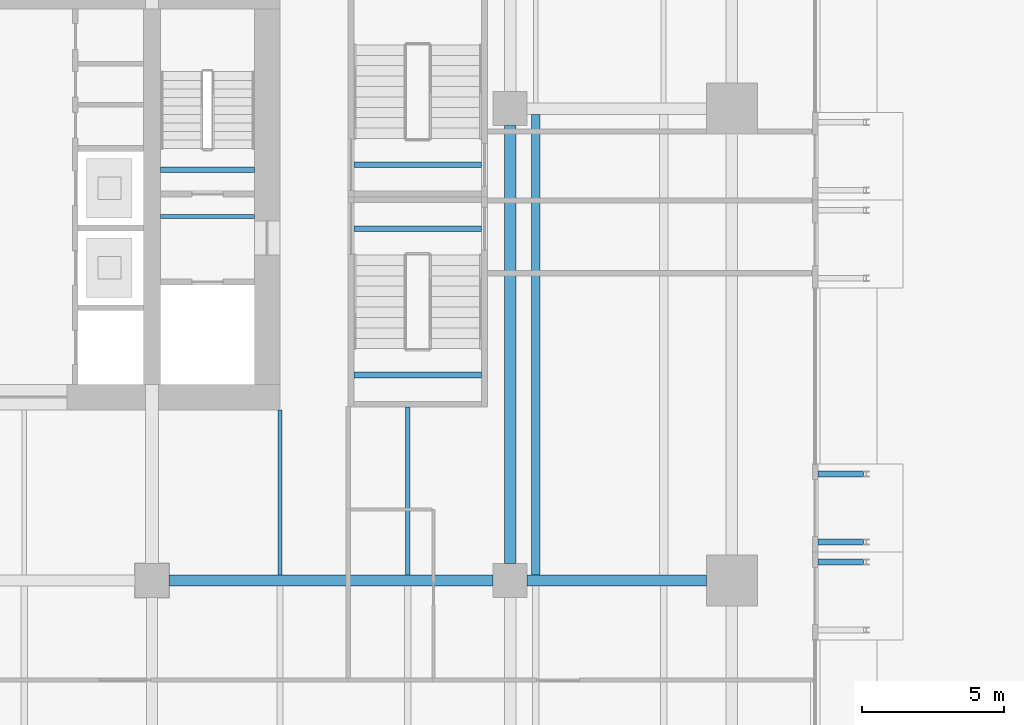
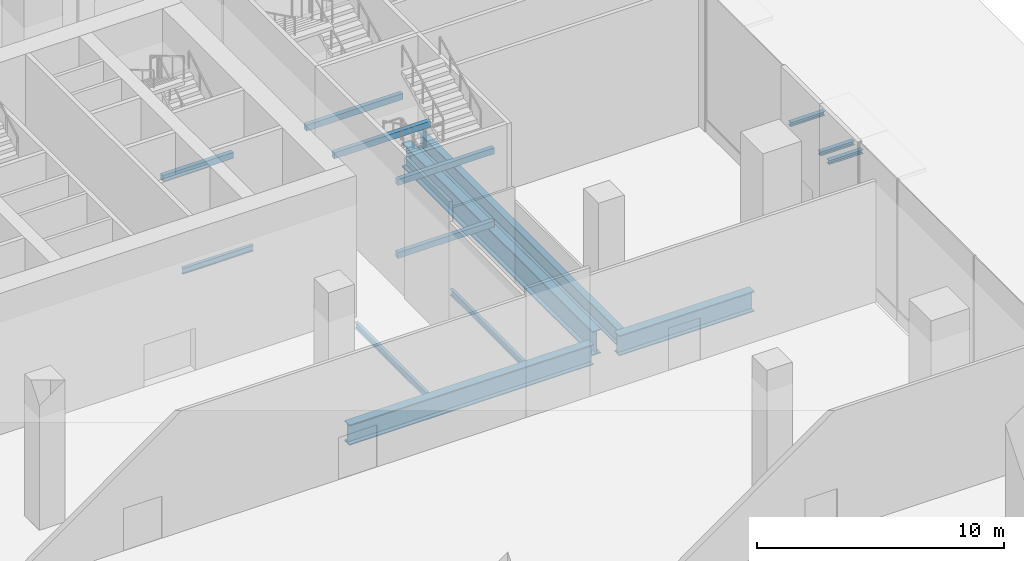
# One storey, part 20 of 41: 15 beams.
"""IFC4 building model written with IfcOpenShell, lengths in metres."""

from ifc_helpers import new_model, si_unit, direction, frame, origin, origin_2d, place, context, subcontext, project, spatial, rectangle, i_section, extrude, material, material_profile, profile_set, type_object, element, save


model = new_model("IFC4")

# Units and contexts
model_context = context("Model", 3, precision=1e-05, world=origin(), true_north=direction((0.0, 1.0)))
body_context = subcontext(model_context, "Body", "Model", "MODEL_VIEW")
ifc_project = project(units=[si_unit("LENGTHUNIT", "METRE"), si_unit("AREAUNIT", "SQUARE_METRE"), si_unit("VOLUMEUNIT", "CUBIC_METRE"), si_unit("PLANEANGLEUNIT", "RADIAN"), si_unit("MASSUNIT", "GRAM", prefix="KILO")], contexts=[model_context])

# Site, building, storey
site_placement = place(None, origin())
site = spatial("IfcSite", under=ifc_project, at=site_placement, CompositionType="ELEMENT")
building_placement = place(site_placement, origin())
building = spatial("IfcBuilding", under=site, at=building_placement, Name="Rattan Terrace Tower", CompositionType="ELEMENT")
storey_placement = place(building_placement, origin())
storey = spatial("IfcBuildingStorey", under=building, at=storey_placement, Name="L00", CompositionType="ELEMENT", Elevation=0.0)

# Beams
ifc_material_1 = material(Name="Structural steel S355", Category="steel")
ifc_material_profile_1 = material_profile(ifc_material_1, i_section(OverallWidth=0.199951171875, OverallDepth=0.199951171875, WebThickness=0.009033203125, FlangeThickness=0.014892578125, FilletRadius=0.01806640625, at=origin_2d()), Name="HE 200 B")
ifc_profile_set_1 = profile_set([ifc_material_profile_1], Name="Structural steel S355")
beam_type_1 = type_object("IfcBeamType", Name="Canopy beam HE 200 B", PredefinedType="BEAM", material=ifc_profile_set_1)
for number, where, z_axis, x_axis, name in (
    (1, (36.929931640625, -12.847900390625, 4.300048828125), (1.0, 0.0, 0.0), (0.0, 1.0, 0.0), "Canopy beam 001b"),
    (2, (36.929931640625, -12.14794921875, 4.300048828125), (1.0, 0.0, 0.0), (0.0, 1.0, 0.0), "Canopy beam 006a"),
    (3, (36.929931640625, -9.75390625, 4.300048828125), (1.0, 0.0, 0.0), (0.0, 1.0, 0.0), "Canopy beam 006b"),
):
    element("IfcBeam", number, at=place(storey_placement, frame(where, z_axis=z_axis, x_axis=x_axis)), inside=storey, type_object=beam_type_1, Name=name, PredefinedType="BEAM", context=body_context, shape_type="SweptSolid", body=[
        extrude(i_section(OverallWidth=0.199951171875, OverallDepth=0.199951171875, WebThickness=0.009033203125, FlangeThickness=0.014892578125, FilletRadius=0.01806640625, at=origin_2d()), origin(), (0.0, 0.0, 1.0), 1.60009765625),
    ])
ifc_material_2 = material(Name="Concrete C40/50", Category="concrete")
ifc_material_profile_2 = material_profile(ifc_material_2, rectangle(XDim=0.199951171875, YDim=0.300048828125, at=origin_2d()), Name="RC 200x300")
ifc_profile_set_2 = profile_set([ifc_material_profile_2], Name="Concrete C40/50")
beam_type_2 = type_object("IfcBeamType", Name="Core landing beam RC 200x300", PredefinedType="BEAM", material=ifc_profile_set_2)
beam_1_placement = place(storey_placement, frame((13.800048828125, 0.949951171875, 3.25), z_axis=(1.0, 0.0, 0.0), x_axis=(0.0, 1.0, 0.0)))
element("IfcBeam", 4, at=beam_1_placement, inside=storey, type_object=beam_type_2, Name="st-S2-L00 landing 2 edge beam", PredefinedType="BEAM", context=body_context, shape_type="SweptSolid", body=[
    extrude(rectangle(XDim=0.199951171875, YDim=0.300048828125, at=origin_2d()), origin(), (0.0, 0.0, 1.0), 3.300048828125),
])
for number, where, z_axis, x_axis, name in (
    (5, (20.60009765625, -6.27197265625, 1.449951171875), (1.0, 0.0, 0.0), (0.0, 1.0, 0.0), "st-S6-L00 landing 1 edge beam"),
    (6, (20.60009765625, -1.125, 3.25), (1.0, 0.0, 0.0), (0.0, 1.0, 0.0), "st-S6-L00 landing 2 edge beam"),
    (7, (20.60009765625, -6.27197265625, 5.050048828125), (1.0, 0.0, 0.0), (0.0, 1.0, 0.0), "st-S6-L00 landing 3 edge beam"),
    (8, (20.60009765625, 1.125, 3.25), (1.0, 0.0, 0.0), (0.0, 1.0, 0.0), "st-S7-L00 landing 2 edge beam"),
):
    element("IfcBeam", number, at=place(storey_placement, frame(where, z_axis=z_axis, x_axis=x_axis)), inside=storey, type_object=beam_type_2, Name=name, PredefinedType="BEAM", context=body_context, shape_type="SweptSolid", body=[
        extrude(rectangle(XDim=0.199951171875, YDim=0.300048828125, at=origin_2d()), origin(), (0.0, 0.0, 1.0), 4.5),
    ])
ifc_material_3 = material(Name="Steel S355", Category="steel")
ifc_material_profile_3 = material_profile(ifc_material_3, i_section(OverallWidth=0.300048828125, OverallDepth=0.800048828125, WebThickness=0.017578125, FlangeThickness=0.032958984375, FilletRadius=0.030029296875, at=origin_2d()), Name="HE 800 B")
ifc_profile_set_3 = profile_set([ifc_material_profile_3], Name="Steel S355")
beam_type_3 = type_object("IfcBeamType", Name="Frame floor beam HE 800 B", PredefinedType="JOIST", material=ifc_profile_set_3)
beam_2_placement = place(storey_placement, frame((27.0, -13.300048828125, -0.60009765625), z_axis=(0.0, 1.0, 0.0), x_axis=(-1.0, 0.0, 0.0)))
element("IfcBeam", 9, at=beam_2_placement, inside=storey, type_object=beam_type_3, Name="bm-L00-037", PredefinedType="JOIST", context=body_context, shape_type="SweptSolid", body=[
    extrude(i_section(OverallWidth=0.300048828125, OverallDepth=0.800048828125, WebThickness=0.017578125, FlangeThickness=0.032958984375, FilletRadius=0.030029296875, at=origin_2d()), origin(), (0.0, 0.0, 1.0), 16.199951171875),
])
ifc_material_4 = material(Name="Steel S355", Category="steel")
ifc_material_profile_4 = material_profile(ifc_material_4, i_section(OverallWidth=0.14990234375, OverallDepth=0.300048828125, WebThickness=0.007080078125, FlangeThickness=0.0107421875, FilletRadius=0.014892578125, at=origin_2d()), Name="IPE 300")
ifc_profile_set_4 = profile_set([ifc_material_profile_4], Name="Steel S355")
beam_type_4 = type_object("IfcBeamType", Name="Frame floor beam IPE 300", PredefinedType="JOIST", material=ifc_profile_set_4)
beam_3_placement = place(storey_placement, frame((13.800048828125, -0.695068359375, -0.35009765625), z_axis=(1.0, 0.0, 0.0), x_axis=(0.0, 1.0, 0.0)))
element("IfcBeam", 10, at=beam_3_placement, inside=storey, type_object=beam_type_4, Name="bm-L00-002", PredefinedType="JOIST", context=body_context, shape_type="SweptSolid", body=[
    extrude(i_section(OverallWidth=0.14990234375, OverallDepth=0.300048828125, WebThickness=0.007080078125, FlangeThickness=0.0107421875, FilletRadius=0.014892578125, at=origin_2d()), origin(), (0.0, 0.0, 1.0), 3.300048828125),
])
beam_4_placement = place(storey_placement, frame((18.0, -13.300048828125, -0.35009765625), z_axis=(0.0, 1.0, 0.0), x_axis=(-1.0, 0.0, 0.0)))
element("IfcBeam", 11, at=beam_4_placement, inside=storey, type_object=beam_type_4, Name="bm-L00-035", PredefinedType="JOIST", context=body_context, shape_type="SweptSolid", body=[
    extrude(i_section(OverallWidth=0.14990234375, OverallDepth=0.300048828125, WebThickness=0.007080078125, FlangeThickness=0.0107421875, FilletRadius=0.014892578125, at=origin_2d()), origin(), (0.0, 0.0, 1.0), 5.800048828125),
])
beam_5_placement = place(storey_placement, frame((22.5, -13.300048828125, -0.35009765625), z_axis=(0.0, 1.0, 0.0), x_axis=(-1.0, 0.0, 0.0)))
element("IfcBeam", 12, at=beam_5_placement, inside=storey, type_object=beam_type_4, Name="bm-L00-036", PredefinedType="JOIST", context=body_context, shape_type="SweptSolid", body=[
    extrude(i_section(OverallWidth=0.14990234375, OverallDepth=0.300048828125, WebThickness=0.007080078125, FlangeThickness=0.0107421875, FilletRadius=0.014892578125, at=origin_2d()), origin(), (0.0, 0.0, 1.0), 5.900146484375),
])
ifc_material_5 = material(Name="Steel S460", Category="steel")
ifc_material_profile_5 = material_profile(ifc_material_5, i_section(OverallWidth=0.39990234375, OverallDepth=1.0, WebThickness=0.01806640625, FlangeThickness=0.044921875, at=origin_2d()), Name="PG 1000x400-18-45")
ifc_profile_set_5 = profile_set([ifc_material_profile_5], Name="Steel S460")
beam_type_5 = type_object("IfcBeamType", Name="Frame podium girder PG 1000x400-18-45", PredefinedType="USERDEFINED", material=ifc_profile_set_5)
beam_6_placement = place(storey_placement, frame((14.10009765625, -13.5, -0.699951171875), z_axis=(1.0, 0.0, 0.0), x_axis=(0.0, 1.0, 0.0)))
element("IfcBeam", 13, at=beam_6_placement, inside=storey, type_object=beam_type_5, Name="gdr-L00-031", ObjectType="PODIUM GIRDER", PredefinedType="USERDEFINED", context=body_context, shape_type="SweptSolid", body=[
    extrude(i_section(OverallWidth=0.39990234375, OverallDepth=1.0, WebThickness=0.01806640625, FlangeThickness=0.044921875, at=origin_2d()), origin(), (0.0, 0.0, 1.0), 11.39990234375),
])
beam_7_placement = place(storey_placement, frame((26.699951171875, -13.5, -0.699951171875), z_axis=(1.0, 0.0, 0.0), x_axis=(0.0, 1.0, 0.0)))
element("IfcBeam", 14, at=beam_7_placement, inside=storey, type_object=beam_type_5, Name="gdr-L00-032", ObjectType="PODIUM GIRDER", PredefinedType="USERDEFINED", context=body_context, shape_type="SweptSolid", body=[
    extrude(i_section(OverallWidth=0.39990234375, OverallDepth=1.0, WebThickness=0.01806640625, FlangeThickness=0.044921875, at=origin_2d()), origin(), (0.0, 0.0, 1.0), 6.300048828125),
])
ifc_material_6 = material(Name="Steel S460", Category="steel")
ifc_material_profile_6 = material_profile(ifc_material_6, i_section(OverallWidth=0.39990234375, OverallDepth=1.199951171875, WebThickness=0.02001953125, FlangeThickness=0.050048828125, at=origin_2d()), Name="PG 1200x400-20-50")
ifc_profile_set_6 = profile_set([ifc_material_profile_6], Name="Steel S460")
beam_type_6 = type_object("IfcBeamType", Name="Frame podium girder PG 1200x400-20-50", PredefinedType="USERDEFINED", material=ifc_profile_set_6)
beam_8_placement = place(storey_placement, frame((26.10009765625, -12.89990234375, -0.800048828125), z_axis=(0.0, 1.0, 0.0), x_axis=(-1.0, 0.0, 0.0)))
element("IfcBeam", 15, at=beam_8_placement, inside=storey, type_object=beam_type_6, Name="gdr-L00-037", ObjectType="PODIUM GIRDER", PredefinedType="USERDEFINED", context=body_context, shape_type="SweptSolid", body=[
    extrude(i_section(OverallWidth=0.39990234375, OverallDepth=1.199951171875, WebThickness=0.02001953125, FlangeThickness=0.050048828125, at=origin_2d()), origin(), (0.0, 0.0, 1.0), 15.39990234375),
])

save(model, "model.ifc")
